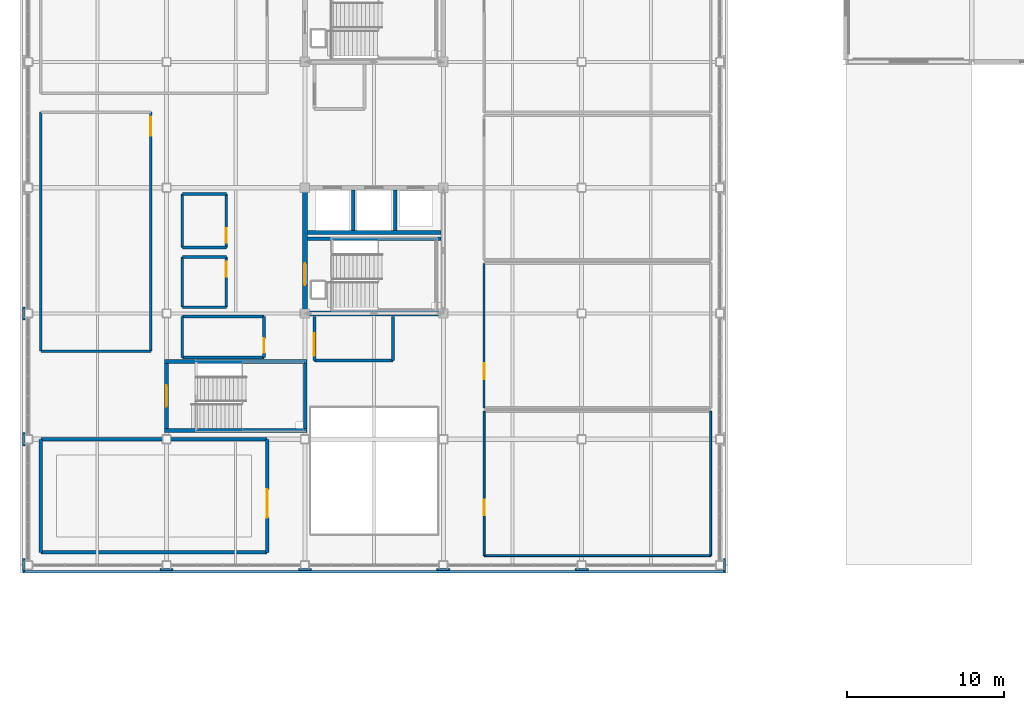
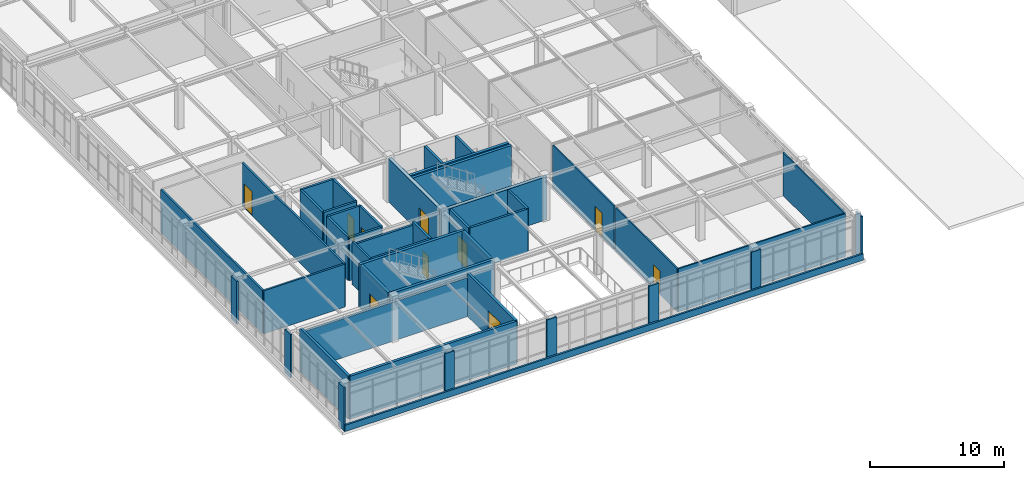
# One storey, part 75 of 88: 45 walls, 10 doors, 10 openings.
"""IFC4 building model written with IfcOpenShell, lengths in metres."""

from ifc_helpers import new_model, si_unit, direction, frame, frame_2d, origin, place, context, subcontext, project, spatial, rectangle, extrude, material, layer, layer_set, type_object, element, fill, save


model = new_model("IFC4")

# Units and contexts
model_context = context("Model", 3, precision=1e-05, world=origin(), true_north=direction((0.0, 1.0)))
body_context = subcontext(model_context, "Body", "Model", "MODEL_VIEW")
ifc_project = project(units=[si_unit("LENGTHUNIT", "METRE"), si_unit("AREAUNIT", "SQUARE_METRE"), si_unit("VOLUMEUNIT", "CUBIC_METRE"), si_unit("PLANEANGLEUNIT", "RADIAN"), si_unit("MASSUNIT", "GRAM", prefix="KILO")], contexts=[model_context])

# Site, building, storey
site_placement = place(None, origin())
site = spatial("IfcSite", under=ifc_project, at=site_placement, CompositionType="ELEMENT")
building_placement = place(site_placement, origin())
building = spatial("IfcBuilding", under=site, at=building_placement, Name="Zhaolan Boulevard Law Courts", CompositionType="ELEMENT")
storey_placement = place(building_placement, frame((0.0, 0.0, 16.199951171875)))
storey = spatial("IfcBuildingStorey", under=building, at=storey_placement, Name="L03", CompositionType="ELEMENT", Elevation=16.199951171875)

# Wall
ifc_material_1 = material(Name="Concrete C50", Category="concrete")
ifc_layer_1 = layer(ifc_material_1, 0.300048828125)
ifc_layer_set_1 = layer_set([ifc_layer_1])
wall_type_1 = type_object("IfcWallType", Name="CORE SHEAR WALL 300", PredefinedType="SHEAR", material=ifc_layer_set_1)
wall_1_placement = place(storey_placement, frame((17.449951171875, 46.0, 0.0), z_axis=(0.0, 0.0, 1.0), x_axis=(1.0, 0.0, 0.0)))
element("IfcWall", 1, at=wall_1_placement, inside=storey, type_object=wall_type_1, Name="Core Shear Wall CW-W1-L03S", PredefinedType="SHEAR", context=body_context, shape_type="SweptSolid", body=[
    extrude(rectangle(XDim=9.10009765625, YDim=0.300048828125, at=frame_2d((4.550048828125, 0.0))), origin(), (0.0, 0.0, 1.0), 3.920166015625),
])

# Wall, opening, door
wall_2_placement = place(storey_placement, frame((17.60009765625, 46.14990234375, 0.0), z_axis=(0.0, 0.0, 1.0), x_axis=(0.0, 1.0, 0.0)))
wall_2 = element("IfcWall", 2, at=wall_2_placement, inside=storey, type_object=wall_type_1, Name="Core Shear Wall CW-W1-L03W", PredefinedType="SHEAR", context=body_context, shape_type="SweptSolid", body=[
    extrude(rectangle(XDim=7.7001953125, YDim=0.300048828125, at=frame_2d((3.85009765625, 0.0))), origin(), (0.0, 0.0, 1.0), 3.920166015625),
])
opening_1_placement = place(wall_2_placement, frame((1.64990234375, 0.0, 0.0)))
opening_1 = element("IfcOpeningElement", 3, at=opening_1_placement, cuts=wall_2, Name="Opening SD-L03-05", PredefinedType="OPENING", context=body_context, shape_type="SweptSolid", body=[
    extrude(rectangle(XDim=1.39990234375, YDim=2.199951171875, at=frame_2d((0.699951171875, 1.10009765625))), frame((0.0, 0.159912109375, 0.0), z_axis=(0.0, -1.0, 0.0), x_axis=(1.0, 0.0, 0.0)), (0.0, 0.0, 1.0), 0.320068359375),
])
ifc_material_2 = material(Name="Fire-rated steel acoustic door", Category="steel")
door_type_1 = type_object("IfcDoorType", Name="STAIR FIRE 1400X2200 L", OperationType="SINGLE_SWING_LEFT", PredefinedType="DOOR", material=ifc_material_2)
door_1_placement = place(opening_1_placement, origin())
door_1 = element("IfcDoor", 4, at=door_1_placement, inside=storey, type_object=door_type_1, Name="Smoke-Proof Stairwell Fire Door SD-L03-05", OperationType="SINGLE_SWING_LEFT", OverallHeight=2.199951171875, OverallWidth=1.39990234375, PredefinedType="DOOR", context=body_context, shape_type="SweptSolid", body=[
    extrude(rectangle(XDim=1.39990234375, YDim=2.199951171875, at=frame_2d((0.699951171875, 1.10009765625))), frame((0.0, 0.02490234375, 0.0), z_axis=(0.0, -1.0, 0.0), x_axis=(1.0, 0.0, 0.0)), (0.0, 0.0, 1.0), 0.050048828125),
])
fill(opening_1, door_1)

# Walls
ifc_material_3 = material(Name="Concrete C40", Category="concrete")
ifc_layer_2 = layer(ifc_material_3, 0.139892578125)
ifc_layer_set_2 = layer_set([ifc_layer_2])
wall_type_2 = type_object("IfcWallType", Name="EXT WALL ARCH CLAD140", PredefinedType="SOLIDWALL", material=ifc_layer_set_2)
for number, where, z_axis, x_axis, name in (
    (5, (-0.280029296875, 29.580078125, 0.0), (0.0, 0.0, 1.0), (0.0, 1.0, 0.0), "Concrete Column Cloak Pier CPR-078"),
    (6, (44.280029296875, 29.580078125, 0.0), (0.0, 0.0, 1.0), (0.0, 1.0, 0.0), "Concrete Column Cloak Pier CPR-079"),
    (7, (-0.280029296875, 37.580078125, 0.0), (0.0, 0.0, 1.0), (0.0, 1.0, 0.0), "Concrete Column Cloak Pier CPR-080"),
    (8, (-0.280029296875, 45.580078125, 0.0), (0.0, 0.0, 1.0), (0.0, 1.0, 0.0), "Concrete Column Cloak Pier CPR-082"),
):
    element("IfcWall", number, at=place(storey_placement, frame(where, z_axis=z_axis, x_axis=x_axis)), inside=storey, type_object=wall_type_2, Name=name, PredefinedType="SOLIDWALL", context=body_context, shape_type="SweptSolid", body=[
        extrude(rectangle(XDim=0.83984375, YDim=0.139892578125, at=frame_2d((0.419921875, 0.0))), origin(), (0.0, 0.0, 1.0), 3.93994140625),
    ])
for number, where, z_axis, x_axis, name in (
    (9, (8.3798828125, 29.719970703125, 0.0), (0.0, 0.0, 1.0), (1.0, 0.0, 0.0), "Concrete Column Cloak Pier CPR-092"),
    (10, (17.179931640625, 29.719970703125, 0.0), (0.0, 0.0, 1.0), (1.0, 0.0, 0.0), "Concrete Column Cloak Pier CPR-093"),
    (11, (25.97998046875, 29.719970703125, 0.0), (0.0, 0.0, 1.0), (1.0, 0.0, 0.0), "Concrete Column Cloak Pier CPR-094"),
    (12, (34.780029296875, 29.719970703125, 0.0), (0.0, 0.0, 1.0), (1.0, 0.0, 0.0), "Concrete Column Cloak Pier CPR-095"),
):
    element("IfcWall", number, at=place(storey_placement, frame(where, z_axis=z_axis, x_axis=x_axis)), inside=storey, type_object=wall_type_2, Name=name, PredefinedType="SOLIDWALL", context=body_context, shape_type="SweptSolid", body=[
        extrude(rectangle(XDim=0.840087890625, YDim=0.139892578125, at=frame_2d((0.419921875, 0.0))), origin(), (0.0, 0.0, 1.0), 3.93994140625),
    ])
ifc_material_4 = material(Name="Concrete C40", Category="concrete")
ifc_layer_3 = layer(ifc_material_4, 0.159912109375)
ifc_layer_set_3 = layer_set([ifc_layer_3])
wall_type_3 = type_object("IfcWallType", Name="EXT WALL ARCH CLAD160", PredefinedType="SOLIDWALL", material=ifc_layer_set_3)
wall_3_placement = place(storey_placement, frame((-0.340087890625, 29.56005859375, 0.0), z_axis=(0.0, 0.0, 1.0), x_axis=(1.0, 0.0, 0.0)))
element("IfcWall", 13, at=wall_3_placement, inside=storey, type_object=wall_type_3, Name="Sculpted Concrete Spandrel Band CBW-077", PredefinedType="SOLIDWALL", context=body_context, shape_type="SweptSolid", body=[
    extrude(rectangle(XDim=44.68017578125, YDim=0.159912109375, at=frame_2d((22.340087890625, 0.0))), origin(), (0.0, 0.0, 1.0), 0.580078125),
])
ifc_material_5 = material(Name="Concrete C50", Category="concrete")
ifc_layer_4 = layer(ifc_material_5, 0.239990234375)
ifc_layer_set_4 = layer_set([ifc_layer_4])
wall_type_4 = type_object("IfcWallType", Name="LIFT SHAFT WALL 240", PredefinedType="SHEAR", material=ifc_layer_set_4)
wall_4_placement = place(storey_placement, frame((17.75, 51.155029296875, 0.0), z_axis=(0.0, 0.0, 1.0), x_axis=(1.0, 0.0, 0.0)))
element("IfcWall", 14, at=wall_4_placement, inside=storey, type_object=wall_type_4, Name="Lift Shaft Enclosure Wall W1 (L03)", PredefinedType="SHEAR", context=body_context, shape_type="SweptSolid", body=[
    extrude(rectangle(XDim=8.5, YDim=0.239990234375, at=frame_2d((4.25, 0.0))), origin(), (0.0, 0.0, 1.0), 3.920166015625),
])
ifc_material_6 = material(Name="Acoustic gypsum and mineral-wool stud")
ifc_layer_5 = layer(ifc_material_6, 0.18994140625)
ifc_layer_set_5 = layer_set([ifc_layer_5])
wall_type_5 = type_object("IfcWallType", Name="PART WALL ACOUST190", PredefinedType="PARTITIONING", material=ifc_layer_set_5)
wall_5_placement = place(storey_placement, frame((18.199951171875, 43.0, 0.0), z_axis=(0.0, 0.0, 1.0), x_axis=(1.0, 0.0, 0.0)))
element("IfcWall", 15, at=wall_5_placement, inside=storey, type_object=wall_type_5, Name="Interior Partition PW-L03-025", PredefinedType="PARTITIONING", context=body_context, shape_type="SweptSolid", body=[
    extrude(rectangle(XDim=5.0, YDim=0.18994140625, at=frame_2d((2.5, 0.0))), origin(), (0.0, 0.0, 1.0), 3.920166015625),
])

# Wall, opening, door
wall_6_placement = place(storey_placement, frame((18.199951171875, 45.800048828125, 0.0), z_axis=(0.0, 0.0, 1.0), x_axis=(0.0, -1.0, 0.0)))
wall_6 = element("IfcWall", 16, at=wall_6_placement, inside=storey, type_object=wall_type_5, Name="Interior Partition PW-L03-026", PredefinedType="PARTITIONING", context=body_context, shape_type="SweptSolid", body=[
    extrude(rectangle(XDim=2.800048828125, YDim=0.18994140625, at=frame_2d((1.39990234375, 0.0))), origin(), (0.0, 0.0, 1.0), 3.920166015625),
])
opening_2_placement = place(wall_6_placement, frame((1.050048828125, 0.0, 0.0)))
opening_2 = element("IfcOpeningElement", 17, at=opening_2_placement, cuts=wall_6, Name="Opening FD-L03-009", PredefinedType="OPENING", context=body_context, shape_type="SweptSolid", body=[
    extrude(rectangle(XDim=1.449951171875, YDim=2.199951171875, at=frame_2d((0.72509765625, 1.10009765625))), frame((0.0, 0.10498046875, 0.0), z_axis=(0.0, -1.0, 0.0), x_axis=(1.0, 0.0, 0.0)), (0.0, 0.0, 1.0), 0.2099609375),
])
ifc_material_7 = material(Name="Fire-rated steel acoustic door", Category="steel")
door_type_2 = type_object("IfcDoorType", Name="LOBBY FIRE 1450X2200 L", OperationType="SINGLE_SWING_LEFT", PredefinedType="DOOR", material=ifc_material_7)
door_2_placement = place(opening_2_placement, origin())
door_2 = element("IfcDoor", 18, at=door_2_placement, inside=storey, type_object=door_type_2, Name="Door FD-L03-009 (Lobby Firefighting Lift L03-W1)", OperationType="SINGLE_SWING_LEFT", OverallHeight=2.199951171875, OverallWidth=1.449951171875, PredefinedType="DOOR", context=body_context, shape_type="SweptSolid", body=[
    extrude(rectangle(XDim=1.449951171875, YDim=2.199951171875, at=frame_2d((0.72509765625, 1.10009765625))), frame((0.0, 0.02490234375, 0.0), z_axis=(0.0, -1.0, 0.0), x_axis=(1.0, 0.0, 0.0)), (0.0, 0.0, 1.0), 0.050048828125),
])
fill(opening_2, door_2)

# Walls
wall_7_placement = place(storey_placement, frame((23.199951171875, 43.0, 0.0), z_axis=(0.0, 0.0, 1.0), x_axis=(0.0, 1.0, 0.0)))
element("IfcWall", 19, at=wall_7_placement, inside=storey, type_object=wall_type_5, Name="Interior Partition PW-L03-027", PredefinedType="PARTITIONING", context=body_context, shape_type="SweptSolid", body=[
    extrude(rectangle(XDim=2.800048828125, YDim=0.18994140625, at=frame_2d((1.39990234375, 0.0))), origin(), (0.0, 0.0, 1.0), 3.920166015625),
])
ifc_material_8 = material(Name="Fire-rated gypsum stud partition")
ifc_layer_6 = layer(ifc_material_8, 0.159912109375)
ifc_layer_set_6 = layer_set([ifc_layer_6])
wall_type_6 = type_object("IfcWallType", Name="PART WALL CHAMB160", PredefinedType="PARTITIONING", material=ifc_layer_set_6)
wall_8_placement = place(storey_placement, frame((0.800048828125, 43.60009765625, 0.0), z_axis=(0.0, 0.0, 1.0), x_axis=(1.0, 0.0, 0.0)))
element("IfcWall", 20, at=wall_8_placement, inside=storey, type_object=wall_type_6, Name="Interior Partition PW-L03-789", PredefinedType="PARTITIONING", context=body_context, shape_type="SweptSolid", body=[
    extrude(rectangle(XDim=7.0, YDim=0.159912109375, at=frame_2d((3.5, 0.0))), origin(), (0.0, 0.0, 1.0), 3.920166015625),
])
wall_9_placement = place(storey_placement, frame((0.800048828125, 58.800048828125, 0.0), z_axis=(0.0, 0.0, 1.0), x_axis=(0.0, -1.0, 0.0)))
element("IfcWall", 21, at=wall_9_placement, inside=storey, type_object=wall_type_6, Name="Interior Partition PW-L03-791", PredefinedType="PARTITIONING", context=body_context, shape_type="SweptSolid", body=[
    extrude(rectangle(XDim=15.199951171875, YDim=0.159912109375, at=frame_2d((7.60009765625, 0.0))), origin(), (0.0, 0.0, 1.0), 3.920166015625),
])

# Wall, opening, door
wall_10_placement = place(storey_placement, frame((7.800048828125, 43.60009765625, 0.0), z_axis=(0.0, 0.0, 1.0), x_axis=(0.0, 1.0, 0.0)))
wall_10 = element("IfcWall", 22, at=wall_10_placement, inside=storey, type_object=wall_type_6, Name="Interior Partition PW-L03-792", PredefinedType="PARTITIONING", context=body_context, shape_type="SweptSolid", body=[
    extrude(rectangle(XDim=15.199951171875, YDim=0.159912109375, at=frame_2d((7.60009765625, 0.0))), origin(), (0.0, 0.0, 1.0), 3.920166015625),
])
opening_3_placement = place(wall_10_placement, frame((13.699951171875, 0.0, 0.0)))
opening_3 = element("IfcOpeningElement", 23, at=opening_3_placement, cuts=wall_10, Name="Opening MD-L03-249", PredefinedType="OPENING", context=body_context, shape_type="SweptSolid", body=[
    extrude(rectangle(XDim=1.199951171875, YDim=2.199951171875, at=frame_2d((0.60009765625, 1.10009765625))), frame((0.0, 0.08984375, 0.0), z_axis=(0.0, -1.0, 0.0), x_axis=(1.0, 0.0, 0.0)), (0.0, 0.0, 1.0), 0.179931640625),
])
ifc_material_9 = material(Name="Solid-core acoustic oak veneer door")
door_type_3 = type_object("IfcDoorType", Name="MED DOOR 1200X2200 L", OperationType="SINGLE_SWING_LEFT", PredefinedType="DOOR", material=ifc_material_9)
door_3_placement = place(opening_3_placement, origin())
door_3 = element("IfcDoor", 24, at=door_3_placement, inside=storey, type_object=door_type_3, Name="Door MD-L03-249 (Case Pre-Trial Conference Room L03)", OperationType="SINGLE_SWING_LEFT", OverallHeight=2.199951171875, OverallWidth=1.199951171875, PredefinedType="DOOR", context=body_context, shape_type="SweptSolid", body=[
    extrude(rectangle(XDim=1.199951171875, YDim=2.199951171875, at=frame_2d((0.60009765625, 1.10009765625))), frame((0.0, 0.02490234375, 0.0), z_axis=(0.0, -1.0, 0.0), x_axis=(1.0, 0.0, 0.0)), (0.0, 0.0, 1.0), 0.050048828125),
])
fill(opening_3, door_3)

# Walls
ifc_material_10 = material(Name="Concrete C40", Category="concrete")
ifc_layer_7 = layer(ifc_material_10, 0.219970703125)
ifc_layer_set_7 = layer_set([ifc_layer_7])
wall_type_7 = type_object("IfcWallType", Name="PART WALL COURT220", PredefinedType="PARTITIONING", material=ifc_layer_set_7)
wall_11_placement = place(storey_placement, frame((0.800048828125, 30.800048828125, 0.0), z_axis=(0.0, 0.0, 1.0), x_axis=(1.0, 0.0, 0.0)))
element("IfcWall", 25, at=wall_11_placement, inside=storey, type_object=wall_type_7, Name="Interior Partition PW-L03-552", PredefinedType="PARTITIONING", context=body_context, shape_type="SweptSolid", body=[
    extrude(rectangle(XDim=14.39990234375, YDim=0.219970703125, at=frame_2d((7.199951171875, 0.0))), origin(), (0.0, 0.0, 1.0), 3.920166015625),
])
wall_12_placement = place(storey_placement, frame((15.199951171875, 38.0, 0.0), z_axis=(0.0, 0.0, 1.0), x_axis=(-1.0, 0.0, 0.0)))
element("IfcWall", 26, at=wall_12_placement, inside=storey, type_object=wall_type_7, Name="Interior Partition PW-L03-553", PredefinedType="PARTITIONING", context=body_context, shape_type="SweptSolid", body=[
    extrude(rectangle(XDim=14.39990234375, YDim=0.219970703125, at=frame_2d((7.199951171875, 0.0))), origin(), (0.0, 0.0, 1.0), 3.546142578125),
])
wall_13_placement = place(storey_placement, frame((0.800048828125, 38.0, 0.0), z_axis=(0.0, 0.0, 1.0), x_axis=(0.0, -1.0, 0.0)))
element("IfcWall", 27, at=wall_13_placement, inside=storey, type_object=wall_type_7, Name="Interior Partition PW-L03-554", PredefinedType="PARTITIONING", context=body_context, shape_type="SweptSolid", body=[
    extrude(rectangle(XDim=7.199951171875, YDim=0.219970703125, at=frame_2d((3.60009765625, 0.0))), origin(), (0.0, 0.0, 1.0), 3.920166015625),
])

# Wall, opening, door
wall_14_placement = place(storey_placement, frame((15.199951171875, 30.800048828125, 0.0), z_axis=(0.0, 0.0, 1.0), x_axis=(0.0, 1.0, 0.0)))
wall_14 = element("IfcWall", 28, at=wall_14_placement, inside=storey, type_object=wall_type_7, Name="Interior Partition PW-L03-555", PredefinedType="PARTITIONING", context=body_context, shape_type="SweptSolid", body=[
    extrude(rectangle(XDim=7.199951171875, YDim=0.219970703125, at=frame_2d((3.60009765625, 0.0))), origin(), (0.0, 0.0, 1.0), 3.920166015625),
])
opening_4_placement = place(wall_14_placement, frame((2.219970703125, 0.0, 0.0)))
opening_4 = element("IfcOpeningElement", 29, at=opening_4_placement, cuts=wall_14, Name="Opening ID-L03-174", PredefinedType="OPENING", context=body_context, shape_type="SweptSolid", body=[
    extrude(rectangle(XDim=1.800048828125, YDim=2.39990234375, at=frame_2d((0.89990234375, 1.199951171875))), frame((0.0, 0.119873046875, 0.0), z_axis=(0.0, -1.0, 0.0), x_axis=(1.0, 0.0, 0.0)), (0.0, 0.0, 1.0), 0.239990234375),
])
ifc_material_11 = material(Name="Solid-core acoustic oak veneer door")
door_type_4 = type_object("IfcDoorType", Name="COURT DOUBLE 1800X2400", OperationType="DOUBLE_DOOR_SINGLE_SWING", PredefinedType="DOOR", material=ifc_material_11)
door_4_placement = place(opening_4_placement, origin())
door_4 = element("IfcDoor", 30, at=door_4_placement, inside=storey, type_object=door_type_4, Name="Door ID-L03-174 (Civil Enforcement Courtroom)", OperationType="DOUBLE_DOOR_SINGLE_SWING", OverallHeight=2.39990234375, OverallWidth=1.800048828125, PredefinedType="DOOR", context=body_context, shape_type="SweptSolid", body=[
    extrude(rectangle(XDim=1.800048828125, YDim=2.39990234375, at=frame_2d((0.89990234375, 1.199951171875))), frame((0.0, 0.02490234375, 0.0), z_axis=(0.0, -1.0, 0.0), x_axis=(1.0, 0.0, 0.0)), (0.0, 0.0, 1.0), 0.050048828125),
])
fill(opening_4, door_4)

# Walls
ifc_material_12 = material(Name="Concrete C40", Category="concrete")
ifc_layer_8 = layer(ifc_material_12, 0.2099609375)
ifc_layer_set_8 = layer_set([ifc_layer_8])
wall_type_8 = type_object("IfcWallType", Name="PART WALL CUSTODY210", PredefinedType="PARTITIONING", material=ifc_layer_set_8)
for number, where, z_axis, x_axis, name in (
    (31, (20.675048828125, 51.277099609375, 0.0), (0.0, 0.0, 1.0), (0.0, 1.0, 0.0), "Lift Shaft Divider Wall W1-1 (L03)"),
    (32, (23.337890625, 51.277099609375, 0.0), (0.0, 0.0, 1.0), (0.0, 1.0, 0.0), "Lift Shaft Divider Wall W1-2 (L03)"),
):
    element("IfcWall", number, at=place(storey_placement, frame(where, z_axis=z_axis, x_axis=x_axis)), inside=storey, type_object=wall_type_8, Name=name, PredefinedType="PARTITIONING", context=body_context, shape_type="SweptSolid", body=[
        extrude(rectangle(XDim=2.57080078125, YDim=0.2099609375, at=frame_2d((1.285400390625, 0.0))), origin(), (0.0, 0.0, 1.0), 3.920166015625),
    ])
ifc_material_13 = material(Name="Gypsum board stud partition")
ifc_layer_9 = layer(ifc_material_13, 0.1201171875)
ifc_layer_set_9 = layer_set([ifc_layer_9])
wall_type_9 = type_object("IfcWallType", Name="PART WALL LIGHT120", PredefinedType="PARTITIONING", material=ifc_layer_set_9)
wall_15_placement = place(storey_placement, frame((29.0, 30.60009765625, 0.0), z_axis=(0.0, 0.0, 1.0), x_axis=(1.0, 0.0, 0.0)))
element("IfcWall", 33, at=wall_15_placement, inside=storey, type_object=wall_type_9, Name="Interior Partition PW-L03-556", PredefinedType="PARTITIONING", context=body_context, shape_type="SweptSolid", body=[
    extrude(rectangle(XDim=14.39990234375, YDim=0.1201171875, at=frame_2d((7.199951171875, 0.0))), origin(), (0.0, 0.0, 1.0), 3.920166015625),
])

# Wall, opening, door
wall_16_placement = place(storey_placement, frame((29.0, 39.783935546875, 0.0), z_axis=(0.0, 0.0, 1.0), x_axis=(0.0, -1.0, 0.0)))
wall_16 = element("IfcWall", 34, at=wall_16_placement, inside=storey, type_object=wall_type_9, Name="Interior Partition PW-L03-558", PredefinedType="PARTITIONING", context=body_context, shape_type="SweptSolid", body=[
    extrude(rectangle(XDim=9.183837890625, YDim=0.1201171875, at=frame_2d((4.591796875, 0.0))), origin(), (0.0, 0.0, 1.0), 3.920166015625),
])
opening_5_placement = place(wall_16_placement, frame((5.623046875, 0.0, 0.0)))
opening_5 = element("IfcOpeningElement", 35, at=opening_5_placement, cuts=wall_16, Name="Opening JD-L03-175", PredefinedType="OPENING", context=body_context, shape_type="SweptSolid", body=[
    extrude(rectangle(XDim=0.97998046875, YDim=2.14990234375, at=frame_2d((0.489990234375, 1.074951171875))), frame((0.0, 0.070068359375, 0.0), z_axis=(0.0, -1.0, 0.0), x_axis=(1.0, 0.0, 0.0)), (0.0, 0.0, 1.0), 0.14013671875),
])
ifc_material_14 = material(Name="Solid-core acoustic oak veneer door")
door_type_5 = type_object("IfcDoorType", Name="CHAMBER DOOR 980X2150 R", OperationType="SINGLE_SWING_RIGHT", PredefinedType="DOOR", material=ifc_material_14)
door_5_placement = place(opening_5_placement, origin())
door_5 = element("IfcDoor", 36, at=door_5_placement, inside=storey, type_object=door_type_5, Name="Door JD-L03-175 (Judges' Chambers L03-01)", OperationType="SINGLE_SWING_RIGHT", OverallHeight=2.14990234375, OverallWidth=0.97998046875, PredefinedType="DOOR", context=body_context, shape_type="SweptSolid", body=[
    extrude(rectangle(XDim=0.97998046875, YDim=2.14990234375, at=frame_2d((0.489990234375, 1.074951171875))), frame((0.0, 0.02490234375, 0.0), z_axis=(0.0, -1.0, 0.0), x_axis=(1.0, 0.0, 0.0)), (0.0, 0.0, 1.0), 0.050048828125),
])
fill(opening_5, door_5)

# Wall
wall_17_placement = place(storey_placement, frame((43.39990234375, 30.60009765625, 0.0), z_axis=(0.0, 0.0, 1.0), x_axis=(0.0, 1.0, 0.0)))
element("IfcWall", 37, at=wall_17_placement, inside=storey, type_object=wall_type_9, Name="Interior Partition PW-L03-559", PredefinedType="PARTITIONING", context=body_context, shape_type="SweptSolid", body=[
    extrude(rectangle(XDim=9.183837890625, YDim=0.1201171875, at=frame_2d((4.591796875, 0.0))), origin(), (0.0, 0.0, 1.0), 3.920166015625),
])

# Wall, opening, door
wall_18_placement = place(storey_placement, frame((29.0, 49.18798828125, 0.0), z_axis=(0.0, 0.0, 1.0), x_axis=(0.0, -1.0, 0.0)))
wall_18 = element("IfcWall", 38, at=wall_18_placement, inside=storey, type_object=wall_type_9, Name="Interior Partition PW-L03-562", PredefinedType="PARTITIONING", context=body_context, shape_type="SweptSolid", body=[
    extrude(rectangle(XDim=9.18408203125, YDim=0.1201171875, at=frame_2d((4.592041015625, 0.0))), origin(), (0.0, 0.0, 1.0), 3.920166015625),
])
opening_6_placement = place(wall_18_placement, frame((6.366943359375, 0.0, 0.0)))
opening_6 = element("IfcOpeningElement", 39, at=opening_6_placement, cuts=wall_18, Name="Opening JD-L03-176", PredefinedType="OPENING", context=body_context, shape_type="SweptSolid", body=[
    extrude(rectangle(XDim=1.0, YDim=2.199951171875, at=frame_2d((0.5, 1.10009765625))), frame((0.0, 0.070068359375, 0.0), z_axis=(0.0, -1.0, 0.0), x_axis=(1.0, 0.0, 0.0)), (0.0, 0.0, 1.0), 0.14013671875),
])
ifc_material_15 = material(Name="Solid-core acoustic oak veneer door")
door_type_6 = type_object("IfcDoorType", Name="CHAMBER DOOR 1000X2200 L", OperationType="SINGLE_SWING_LEFT", PredefinedType="DOOR", material=ifc_material_15)
door_6_placement = place(opening_6_placement, origin())
door_6 = element("IfcDoor", 40, at=door_6_placement, inside=storey, type_object=door_type_6, Name="Door JD-L03-176 (Judges' Chambers L03-02)", OperationType="SINGLE_SWING_LEFT", OverallHeight=2.199951171875, OverallWidth=1.0, PredefinedType="DOOR", context=body_context, shape_type="SweptSolid", body=[
    extrude(rectangle(XDim=1.0, YDim=2.199951171875, at=frame_2d((0.5, 1.10009765625))), frame((0.0, 0.02490234375, 0.0), z_axis=(0.0, -1.0, 0.0), x_axis=(1.0, 0.0, 0.0)), (0.0, 0.0, 1.0), 0.050048828125),
])
fill(opening_6, door_6)

# Walls
ifc_material_16 = material(Name="Moisture-resistant masonry chase wall", Category="masonry")
ifc_layer_10 = layer(ifc_material_16, 0.179931640625)
ifc_layer_set_10 = layer_set([ifc_layer_10])
wall_type_10 = type_object("IfcWallType", Name="PLUMB WALL 180", PredefinedType="PLUMBINGWALL", material=ifc_layer_set_10)
for number, where, z_axis, x_axis, name in (
    (41, (9.800048828125, 46.39990234375, 0.0), (0.0, 0.0, 1.0), (1.0, 0.0, 0.0), "Interior Partition PW-L03-127"),
    (42, (12.60009765625, 49.60009765625, 0.0), (0.0, 0.0, 1.0), (-1.0, 0.0, 0.0), "Interior Partition PW-L03-128"),
):
    element("IfcWall", number, at=place(storey_placement, frame(where, z_axis=z_axis, x_axis=x_axis)), inside=storey, type_object=wall_type_10, Name=name, PredefinedType="PLUMBINGWALL", context=body_context, shape_type="SweptSolid", body=[
        extrude(rectangle(XDim=2.800048828125, YDim=0.179931640625, at=frame_2d((1.39990234375, 0.0))), origin(), (0.0, 0.0, 1.0), 3.920166015625),
    ])
wall_19_placement = place(storey_placement, frame((9.800048828125, 49.60009765625, 0.0), z_axis=(0.0, 0.0, 1.0), x_axis=(0.0, -1.0, 0.0)))
element("IfcWall", 43, at=wall_19_placement, inside=storey, type_object=wall_type_10, Name="Interior Partition PW-L03-129", PredefinedType="PLUMBINGWALL", context=body_context, shape_type="SweptSolid", body=[
    extrude(rectangle(XDim=3.2001953125, YDim=0.179931640625, at=frame_2d((1.60009765625, 0.0))), origin(), (0.0, 0.0, 1.0), 3.920166015625),
])

# Wall, opening, door
wall_20_placement = place(storey_placement, frame((12.60009765625, 46.39990234375, 0.0), z_axis=(0.0, 0.0, 1.0), x_axis=(0.0, 1.0, 0.0)))
wall_20 = element("IfcWall", 44, at=wall_20_placement, inside=storey, type_object=wall_type_10, Name="Interior Partition PW-L03-130", PredefinedType="PLUMBINGWALL", context=body_context, shape_type="SweptSolid", body=[
    extrude(rectangle(XDim=3.2001953125, YDim=0.179931640625, at=frame_2d((1.60009765625, 0.0))), origin(), (0.0, 0.0, 1.0), 3.920166015625),
])
opening_7_placement = place(wall_20_placement, frame((1.93994140625, 0.0, 0.0)))
opening_7 = element("IfcOpeningElement", 45, at=opening_7_placement, cuts=wall_20, Name="Opening WD-L03-040", PredefinedType="OPENING", context=body_context, shape_type="SweptSolid", body=[
    extrude(rectangle(XDim=0.9599609375, YDim=2.10009765625, at=frame_2d((0.47998046875, 1.050048828125))), frame((0.0, 0.099853515625, 0.0), z_axis=(0.0, -1.0, 0.0), x_axis=(1.0, 0.0, 0.0)), (0.0, 0.0, 1.0), 0.199951171875),
])
ifc_material_17 = material(Name="Solid-core acoustic oak veneer door")
door_type_7 = type_object("IfcDoorType", Name="WCDOOR ACC 960X2100 L", OperationType="SINGLE_SWING_LEFT", PredefinedType="DOOR", material=ifc_material_17)
door_7_placement = place(opening_7_placement, origin())
door_7 = element("IfcDoor", 46, at=door_7_placement, inside=storey, type_object=door_type_7, Name="Door WD-L03-040 (Accessible WC L03)", OperationType="SINGLE_SWING_LEFT", OverallHeight=2.10009765625, OverallWidth=0.9599609375, PredefinedType="DOOR", context=body_context, shape_type="SweptSolid", body=[
    extrude(rectangle(XDim=0.9599609375, YDim=2.10009765625, at=frame_2d((0.47998046875, 1.050048828125))), frame((0.0, 0.02490234375, 0.0), z_axis=(0.0, -1.0, 0.0), x_axis=(1.0, 0.0, 0.0)), (0.0, 0.0, 1.0), 0.050048828125),
])
fill(opening_7, door_7)

# Walls
for number, where, z_axis, x_axis, name in (
    (47, (9.800048828125, 50.199951171875, 0.0), (0.0, 0.0, 1.0), (1.0, 0.0, 0.0), "Interior Partition PW-L03-131"),
    (48, (12.60009765625, 53.60009765625, 0.0), (0.0, 0.0, 1.0), (-1.0, 0.0, 0.0), "Interior Partition PW-L03-132"),
):
    element("IfcWall", number, at=place(storey_placement, frame(where, z_axis=z_axis, x_axis=x_axis)), inside=storey, type_object=wall_type_10, Name=name, PredefinedType="PLUMBINGWALL", context=body_context, shape_type="SweptSolid", body=[
        extrude(rectangle(XDim=2.800048828125, YDim=0.179931640625, at=frame_2d((1.39990234375, 0.0))), origin(), (0.0, 0.0, 1.0), 3.920166015625),
    ])
wall_21_placement = place(storey_placement, frame((9.800048828125, 53.60009765625, 0.0), z_axis=(0.0, 0.0, 1.0), x_axis=(0.0, -1.0, 0.0)))
element("IfcWall", 49, at=wall_21_placement, inside=storey, type_object=wall_type_10, Name="Interior Partition PW-L03-133", PredefinedType="PLUMBINGWALL", context=body_context, shape_type="SweptSolid", body=[
    extrude(rectangle(XDim=3.400146484375, YDim=0.179931640625, at=frame_2d((1.7001953125, 0.0))), origin(), (0.0, 0.0, 1.0), 3.920166015625),
])

# Wall, opening, door
wall_22_placement = place(storey_placement, frame((12.60009765625, 50.199951171875, 0.0), z_axis=(0.0, 0.0, 1.0), x_axis=(0.0, 1.0, 0.0)))
wall_22 = element("IfcWall", 50, at=wall_22_placement, inside=storey, type_object=wall_type_10, Name="Interior Partition PW-L03-134", PredefinedType="PLUMBINGWALL", context=body_context, shape_type="SweptSolid", body=[
    extrude(rectangle(XDim=3.400146484375, YDim=0.179931640625, at=frame_2d((1.7001953125, 0.0))), origin(), (0.0, 0.0, 1.0), 3.920166015625),
])
opening_8_placement = place(wall_22_placement, frame((0.300048828125, 0.0, 0.0)))
opening_8 = element("IfcOpeningElement", 51, at=opening_8_placement, cuts=wall_22, Name="Opening WD-L03-041", PredefinedType="OPENING", context=body_context, shape_type="SweptSolid", body=[
    extrude(rectangle(XDim=0.919921875, YDim=2.10009765625, at=frame_2d((0.4599609375, 1.050048828125))), frame((0.0, 0.099853515625, 0.0), z_axis=(0.0, -1.0, 0.0), x_axis=(1.0, 0.0, 0.0)), (0.0, 0.0, 1.0), 0.199951171875),
])
ifc_material_18 = material(Name="Solid-core acoustic oak veneer door")
door_type_8 = type_object("IfcDoorType", Name="WCDOOR PUB 920X2100 R", OperationType="SINGLE_SWING_RIGHT", PredefinedType="DOOR", material=ifc_material_18)
door_8_placement = place(opening_8_placement, origin())
door_8 = element("IfcDoor", 52, at=door_8_placement, inside=storey, type_object=door_type_8, Name="Door WD-L03-041 (WC Public Male L03)", OperationType="SINGLE_SWING_RIGHT", OverallHeight=2.10009765625, OverallWidth=0.919921875, PredefinedType="DOOR", context=body_context, shape_type="SweptSolid", body=[
    extrude(rectangle(XDim=0.919921875, YDim=2.10009765625, at=frame_2d((0.4599609375, 1.050048828125))), frame((0.0, 0.02490234375, 0.0), z_axis=(0.0, -1.0, 0.0), x_axis=(1.0, 0.0, 0.0)), (0.0, 0.0, 1.0), 0.050048828125),
])
fill(opening_8, door_8)

# Walls
wall_23_placement = place(storey_placement, frame((9.800048828125, 43.199951171875, 0.0), z_axis=(0.0, 0.0, 1.0), x_axis=(1.0, 0.0, 0.0)))
element("IfcWall", 53, at=wall_23_placement, inside=storey, type_object=wall_type_10, Name="Interior Partition PW-L03-135", PredefinedType="PLUMBINGWALL", context=body_context, shape_type="SweptSolid", body=[
    extrude(rectangle(XDim=5.199951171875, YDim=0.179931640625, at=frame_2d((2.60009765625, 0.0))), origin(), (0.0, 0.0, 1.0), 3.920166015625),
])
wall_24_placement = place(storey_placement, frame((15.0, 45.800048828125, 0.0), z_axis=(0.0, 0.0, 1.0), x_axis=(-1.0, 0.0, 0.0)))
element("IfcWall", 54, at=wall_24_placement, inside=storey, type_object=wall_type_10, Name="Interior Partition PW-L03-136", PredefinedType="PLUMBINGWALL", context=body_context, shape_type="SweptSolid", body=[
    extrude(rectangle(XDim=5.199951171875, YDim=0.179931640625, at=frame_2d((2.60009765625, 0.0))), origin(), (0.0, 0.0, 1.0), 3.635986328125),
])
wall_25_placement = place(storey_placement, frame((9.800048828125, 45.800048828125, 0.0), z_axis=(0.0, 0.0, 1.0), x_axis=(0.0, -1.0, 0.0)))
element("IfcWall", 55, at=wall_25_placement, inside=storey, type_object=wall_type_10, Name="Interior Partition PW-L03-137", PredefinedType="PLUMBINGWALL", context=body_context, shape_type="SweptSolid", body=[
    extrude(rectangle(XDim=2.60009765625, YDim=0.179931640625, at=frame_2d((1.300048828125, 0.0))), origin(), (0.0, 0.0, 1.0), 3.920166015625),
])

# Wall, opening, door
wall_26_placement = place(storey_placement, frame((15.0, 43.199951171875, 0.0), z_axis=(0.0, 0.0, 1.0), x_axis=(0.0, 1.0, 0.0)))
wall_26 = element("IfcWall", 56, at=wall_26_placement, inside=storey, type_object=wall_type_10, Name="Interior Partition PW-L03-138", PredefinedType="PLUMBINGWALL", context=body_context, shape_type="SweptSolid", body=[
    extrude(rectangle(XDim=2.60009765625, YDim=0.179931640625, at=frame_2d((1.300048828125, 0.0))), origin(), (0.0, 0.0, 1.0), 3.920166015625),
])
opening_9_placement = place(wall_26_placement, frame((0.300048828125, 0.0, 0.0)))
opening_9 = element("IfcOpeningElement", 57, at=opening_9_placement, cuts=wall_26, Name="Opening WD-L03-042", PredefinedType="OPENING", context=body_context, shape_type="SweptSolid", body=[
    extrude(rectangle(XDim=0.919921875, YDim=2.10009765625, at=frame_2d((0.4599609375, 1.050048828125))), frame((0.0, 0.099853515625, 0.0), z_axis=(0.0, -1.0, 0.0), x_axis=(1.0, 0.0, 0.0)), (0.0, 0.0, 1.0), 0.199951171875),
])
door_9_placement = place(opening_9_placement, origin())
door_9 = element("IfcDoor", 58, at=door_9_placement, inside=storey, type_object=door_type_8, Name="Door WD-L03-042 (WC Public Female L03)", OperationType="SINGLE_SWING_RIGHT", OverallHeight=2.10009765625, OverallWidth=0.919921875, PredefinedType="DOOR", context=body_context, shape_type="SweptSolid", body=[
    extrude(rectangle(XDim=0.919921875, YDim=2.10009765625, at=frame_2d((0.4599609375, 1.050048828125))), frame((0.0, 0.02490234375, 0.0), z_axis=(0.0, -1.0, 0.0), x_axis=(1.0, 0.0, 0.0)), (0.0, 0.0, 1.0), 0.050048828125),
])
fill(opening_9, door_9)

# Walls
ifc_material_19 = material(Name="Concrete C50", Category="concrete")
ifc_layer_11 = layer(ifc_material_19, 0.239990234375)
ifc_layer_set_11 = layer_set([ifc_layer_11])
wall_type_11 = type_object("IfcWallType", Name="STAIR WELL WALL 240", PredefinedType="SHEAR", material=ifc_layer_set_11)
wall_27_placement = place(storey_placement, frame((17.75, 50.75, 0.0), z_axis=(0.0, 0.0, 1.0), x_axis=(1.0, 0.0, 0.0)))
element("IfcWall", 59, at=wall_27_placement, inside=storey, type_object=wall_type_11, Name="Stairwell Divider Shear Wall ST01-L03N", PredefinedType="SHEAR", context=body_context, shape_type="SweptSolid", body=[
    extrude(rectangle(XDim=8.5, YDim=0.239990234375, at=frame_2d((4.25, 0.0))), origin(), (0.0, 0.0, 1.0), 3.949951171875),
])
for number, where, z_axis, x_axis, name in (
    (60, (8.679931640625, 38.550048828125, 0.0), (0.0, 0.0, 1.0), (1.0, 0.0, 0.0), "Stairwell Shear Wall ST03-L03S"),
    (61, (17.719970703125, 42.949951171875, 0.0), (0.0, 0.0, 1.0), (-1.0, 0.0, 0.0), "Stairwell Shear Wall ST03-L03N"),
):
    element("IfcWall", number, at=place(storey_placement, frame(where, z_axis=z_axis, x_axis=x_axis)), inside=storey, type_object=wall_type_11, Name=name, PredefinedType="SHEAR", context=body_context, shape_type="SweptSolid", body=[
        extrude(rectangle(XDim=9.0400390625, YDim=0.239990234375, at=frame_2d((4.52001953125, 0.0))), origin(), (0.0, 0.0, 1.0), 3.949951171875),
    ])

# Wall, opening, door
wall_28_placement = place(storey_placement, frame((8.800048828125, 38.669921875, 0.0), z_axis=(0.0, 0.0, 1.0), x_axis=(0.0, 1.0, 0.0)))
wall_28 = element("IfcWall", 62, at=wall_28_placement, inside=storey, type_object=wall_type_11, Name="Stairwell Shear Wall ST03-L03W", PredefinedType="SHEAR", context=body_context, shape_type="SweptSolid", body=[
    extrude(rectangle(XDim=4.16015625, YDim=0.239990234375, at=frame_2d((2.080078125, 0.0))), origin(), (0.0, 0.0, 1.0), 3.949951171875),
])
opening_10_placement = place(wall_28_placement, frame((1.405029296875, 0.0, 0.0)))
opening_10 = element("IfcOpeningElement", 63, at=opening_10_placement, cuts=wall_28, Name="Opening SD-L03-50", PredefinedType="OPENING", context=body_context, shape_type="SweptSolid", body=[
    extrude(rectangle(XDim=1.35009765625, YDim=2.199951171875, at=frame_2d((0.675048828125, 1.10009765625))), frame((0.0, 0.1298828125, 0.0), z_axis=(0.0, -1.0, 0.0), x_axis=(1.0, 0.0, 0.0)), (0.0, 0.0, 1.0), 0.260009765625),
])
ifc_material_20 = material(Name="Fire-rated steel acoustic door", Category="steel")
door_type_9 = type_object("IfcDoorType", Name="STAIR FIRE 1350X2200 R", OperationType="SINGLE_SWING_RIGHT", PredefinedType="DOOR", material=ifc_material_20)
door_10_placement = place(opening_10_placement, origin())
door_10 = element("IfcDoor", 64, at=door_10_placement, inside=storey, type_object=door_type_9, Name="Smoke-Proof Stairwell Fire Door SD-L03-50", OperationType="SINGLE_SWING_RIGHT", OverallHeight=2.199951171875, OverallWidth=1.35009765625, PredefinedType="DOOR", context=body_context, shape_type="SweptSolid", body=[
    extrude(rectangle(XDim=1.35009765625, YDim=2.199951171875, at=frame_2d((0.675048828125, 1.10009765625))), frame((0.0, 0.02490234375, 0.0), z_axis=(0.0, -1.0, 0.0), x_axis=(1.0, 0.0, 0.0)), (0.0, 0.0, 1.0), 0.050048828125),
])
fill(opening_10, door_10)

# Wall
wall_29_placement = place(storey_placement, frame((17.60009765625, 38.669921875, 0.0), z_axis=(0.0, 0.0, 1.0), x_axis=(0.0, 1.0, 0.0)))
element("IfcWall", 65, at=wall_29_placement, inside=storey, type_object=wall_type_11, Name="Stairwell Shear Wall ST03-L03E", PredefinedType="SHEAR", context=body_context, shape_type="SweptSolid", body=[
    extrude(rectangle(XDim=4.16015625, YDim=0.239990234375, at=frame_2d((2.080078125, 0.0))), origin(), (0.0, 0.0, 1.0), 3.949951171875),
])

save(model, "model.ifc")
